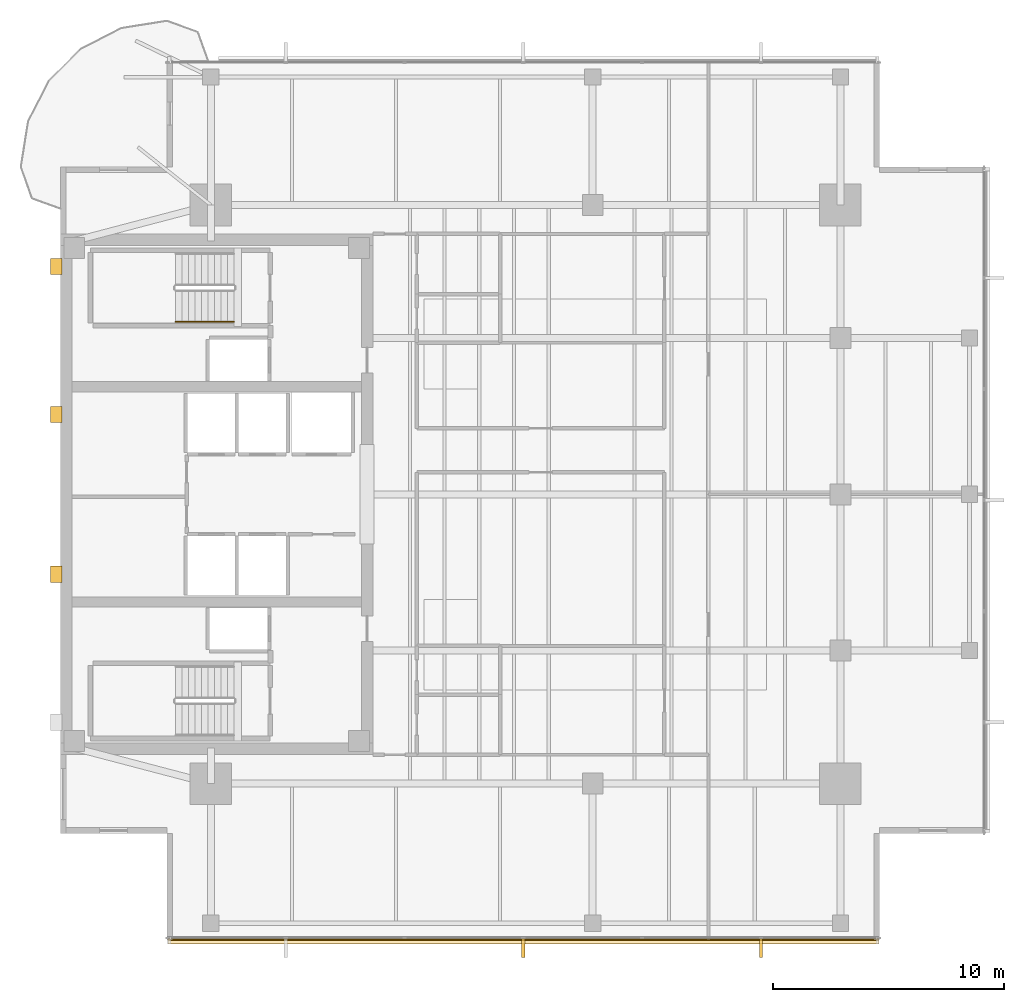
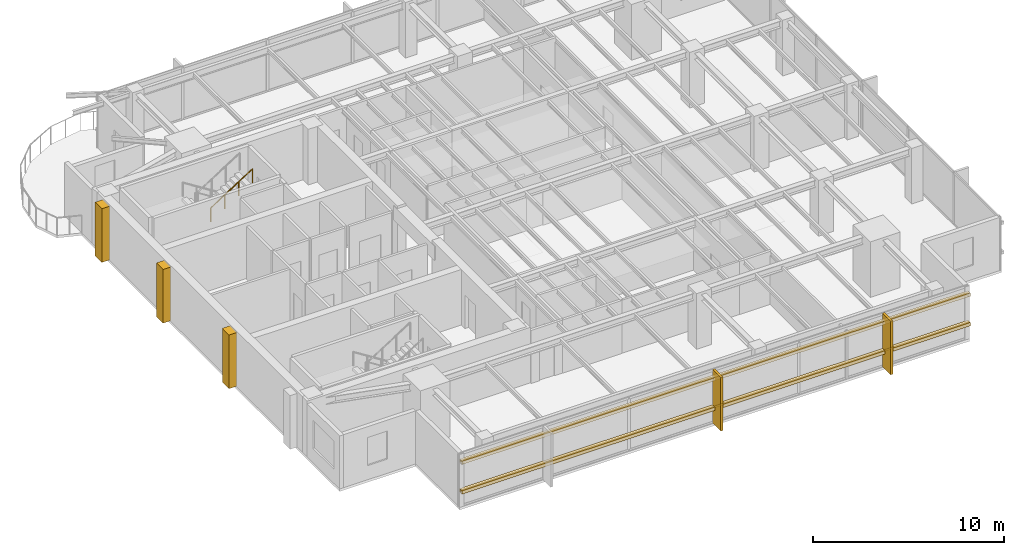
# One storey, part 12 of 14: 7 coverings, 2 shading devices, 1 railing.
"""IFC4 building model written with IfcOpenShell, lengths in metres."""

from ifc_helpers import new_model, si_unit, direction, frame, origin, origin_2d, place, context, subcontext, project, spatial, polyline, rectangle, circle, outline, extrude, material, layer, layer_set, material_profile, profile_set, type_object, element, save


model = new_model("IFC4")

# Units and contexts
model_context = context("Model", 3, precision=1e-05, world=origin(), true_north=direction((0.0, 1.0)))
body_context = subcontext(model_context, "Body", "Model", "MODEL_VIEW")
ifc_project = project(units=[si_unit("LENGTHUNIT", "METRE"), si_unit("AREAUNIT", "SQUARE_METRE"), si_unit("VOLUMEUNIT", "CUBIC_METRE"), si_unit("PLANEANGLEUNIT", "RADIAN"), si_unit("MASSUNIT", "GRAM", prefix="KILO")], contexts=[model_context])

# Site, building, storey
site_placement = place(None, origin())
site = spatial("IfcSite", under=ifc_project, at=site_placement, CompositionType="ELEMENT")
building_placement = place(site_placement, origin())
building = spatial("IfcBuilding", under=site, at=building_placement, Name="Kinhvarn Gate Tower", CompositionType="ELEMENT")
storey_placement = place(building_placement, frame((0.0, 0.0, 259.89990234375)))
storey = spatial("IfcBuildingStorey", under=building, at=storey_placement, Name="L69", CompositionType="ELEMENT", Elevation=259.89990234375)

# Coverings
ifc_material_1 = material(Name="Fired architectural terracotta", Category="masonry")
ifc_layer_1 = layer(ifc_material_1, 0.239990234375)
ifc_layer_set_1 = layer_set([ifc_layer_1], Name="Fired architectural terracotta")
covering_type_1 = type_object("IfcCoveringType", Name="COV-BAG-220", PredefinedType="CLADDING", material=ifc_layer_set_1)
for number, where, name in (
    (1, (0.0, 0.0, 0.940185546875), "Terracotta Horizontal Sunscreen Band TBG-220 (L69)"),
    (2, (0.0, 0.0, 2.830078125), "Terracotta Horizontal Sunscreen Band TBG-220 (L69)"),
):
    element("IfcCovering", number, at=place(storey_placement, frame(where)), inside=storey, type_object=covering_type_1, Name=name, PredefinedType="CLADDING", context=body_context, shape_type="SweptSolid", body=[
        extrude(outline(polyline([(9.139892578125, 6.070068359375), (39.860107421875, 6.070068359375), (39.860107421875, 5.830078125), (9.139892578125, 5.830078125), (9.139892578125, 6.070068359375)])), origin(), (0.0, 0.0, 1.0), 0.219970703125),
    ])
ifc_layer_2 = layer(ifc_material_1, 0.139892578125)
ifc_layer_set_2 = layer_set([ifc_layer_2], Name="Fired architectural terracotta")
covering_type_2 = type_object("IfcCoveringType", Name="COV-FIN-850", PredefinedType="CLADDING", material=ifc_layer_set_2)
covering_1_placement = place(storey_placement, frame((0.0, 0.0, -0.02001953125)))
element("IfcCovering", 3, at=covering_1_placement, inside=storey, type_object=covering_type_2, Name="Vertical Terracotta Expressive Fin TFN-850 (L69)", PredefinedType="CLADDING", context=body_context, shape_type="SweptSolid", body=[
    extrude(outline(polyline([(24.429931640625, 6.080078125), (24.570068359375, 6.080078125), (24.570068359375, 5.22998046875), (24.429931640625, 5.22998046875), (24.429931640625, 6.080078125)])), origin(), (0.0, 0.0, 1.0), 3.43017578125),
])
covering_2_placement = place(storey_placement, frame((0.0, 0.0, -0.02001953125)))
element("IfcCovering", 4, at=covering_2_placement, inside=storey, type_object=covering_type_2, Name="Vertical Terracotta Expressive Fin TFN-850 (L69)", PredefinedType="CLADDING", context=body_context, shape_type="SweptSolid", body=[
    extrude(outline(polyline([(34.69677734375, 6.080078125), (34.836669921875, 6.080078125), (34.836669921875, 5.22998046875), (34.69677734375, 5.22998046875), (34.69677734375, 6.080078125)])), origin(), (0.0, 0.0, 1.0), 3.43017578125),
])
ifc_material_2 = material(Name="Precast white architectural concrete C40/50", Category="concrete")
ifc_layer_3 = layer(ifc_material_2, 0.47998046875)
ifc_layer_set_3 = layer_set([ifc_layer_3], Name="Precast white architectural concrete C40/50")
covering_type_3 = type_object("IfcCoveringType", Name="COV-RIB-450", PredefinedType="CLADDING", material=ifc_layer_set_3)
covering_3_placement = place(storey_placement, frame((0.0, 0.0, -0.02001953125)))
element("IfcCovering", 5, at=covering_3_placement, inside=storey, type_object=covering_type_3, Name="West Core Sculptural Concrete Relief Rib CRB-450 (L69)", PredefinedType="CLADDING", context=body_context, shape_type="SweptSolid", body=[
    extrude(outline(polyline([(4.080078125, 21.449951171875), (4.56005859375, 21.449951171875), (4.56005859375, 22.14990234375), (4.080078125, 22.14990234375), (4.080078125, 21.449951171875)])), origin(), (0.0, 0.0, 1.0), 3.43017578125),
])
covering_4_placement = place(storey_placement, frame((0.0, 0.0, -0.02001953125)))
element("IfcCovering", 6, at=covering_4_placement, inside=storey, type_object=covering_type_3, Name="West Core Sculptural Concrete Relief Rib CRB-450 (L69)", PredefinedType="CLADDING", context=body_context, shape_type="SweptSolid", body=[
    extrude(outline(polyline([(4.080078125, 28.35009765625), (4.56005859375, 28.35009765625), (4.56005859375, 29.050048828125), (4.080078125, 29.050048828125), (4.080078125, 28.35009765625)])), origin(), (0.0, 0.0, 1.0), 3.43017578125),
])
covering_5_placement = place(storey_placement, frame((0.0, 0.0, -0.02001953125)))
element("IfcCovering", 7, at=covering_5_placement, inside=storey, type_object=covering_type_3, Name="West Core Sculptural Concrete Relief Rib CRB-450 (L69)", PredefinedType="CLADDING", context=body_context, shape_type="SweptSolid", body=[
    extrude(outline(polyline([(4.080078125, 34.75), (4.56005859375, 34.75), (4.56005859375, 35.449951171875), (4.080078125, 35.449951171875), (4.080078125, 34.75)])), origin(), (0.0, 0.0, 1.0), 3.43017578125),
])

# Railing
ifc_material_3 = material(Name="Steel S355", Category="steel")
railing_type = type_object("IfcRailingType", Name="RL-ST-HND", PredefinedType="HANDRAIL", material=ifc_material_3)
railing_placement = place(storey_placement, frame((9.47998046875, 32.699951171875, 1.95263671875)))
element("IfcRailing", 8, at=railing_placement, inside=storey, type_object=railing_type, Name="L69 ST2 stair handrail 2", PredefinedType="HANDRAIL", context=body_context, shape_type="SweptSolid", body=[
    extrude(circle(Radius=0.02392578125, at=origin_2d()), frame((0.0, 0.0, 0.8759765625), z_axis=(0.84460694969, 0.0, 0.535386869969), x_axis=(0.0, 1.0, 0.0)), (0.0, 0.0, 1.0), 2.983642578125),
    extrude(circle(Radius=0.02099609375, at=origin_2d()), origin(), (0.0, 0.0, 1.0), 0.851806640625),
    extrude(circle(Radius=0.02099609375, at=origin_2d()), frame((0.840087890625, 0.0, 0.532470703125)), (0.0, 0.0, 1.0), 0.851806640625),
    extrude(circle(Radius=0.02099609375, at=origin_2d()), frame((1.679931640625, 0.0, 1.06494140625)), (0.0, 0.0, 1.0), 0.851806640625),
    extrude(circle(Radius=0.02099609375, at=origin_2d()), frame((2.52001953125, 0.0, 1.597412109375)), (0.0, 0.0, 1.0), 0.851806640625),
])

# Shading devices
ifc_material_profile = material_profile(ifc_material_1, rectangle(XDim=0.050048828125, YDim=0.1201171875, at=origin_2d()), Name="TC 50x120")
ifc_profile_set = profile_set([ifc_material_profile], Name="Fired architectural terracotta")
shading_device_type = type_object("IfcShadingDeviceType", Name="SHD-BAG-140", PredefinedType="USERDEFINED", material=ifc_profile_set)
for number, where, z_axis, x_axis, name in (
    (9, (9.139892578125, 6.0, 1.050048828125), (1.0, 0.0, 0.0), (0.0, 1.0, 0.0), "Upper Tower Terracotta Baguette Screen Rod 50x120 mm (L69)"),
    (10, (9.139892578125, 6.0, 2.940185546875), (1.0, 0.0, 0.0), (0.0, 1.0, 0.0), "Upper Tower Terracotta Baguette Screen Rod 50x120 mm (L69)"),
):
    element("IfcShadingDevice", number, at=place(storey_placement, frame(where, z_axis=z_axis, x_axis=x_axis)), inside=storey, type_object=shading_device_type, Name=name, ObjectType="BAGUETTE", PredefinedType="USERDEFINED", context=body_context, shape_type="SweptSolid", body=[
        extrude(rectangle(XDim=0.050048828125, YDim=0.1201171875, at=origin_2d()), origin(), (0.0, 0.0, 1.0), 30.72021484375),
    ])

save(model, "model.ifc")
